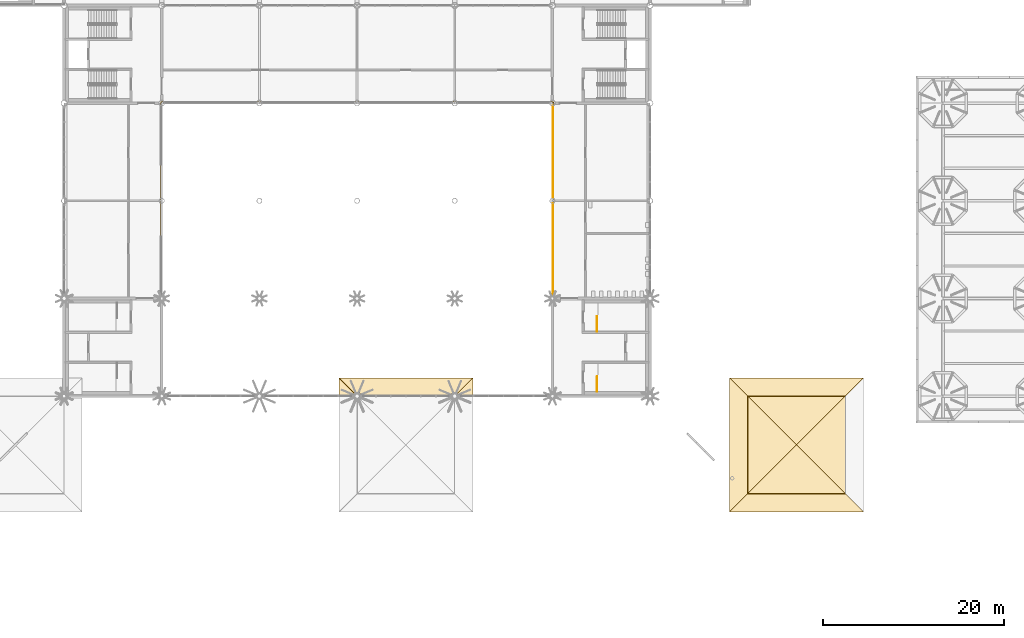
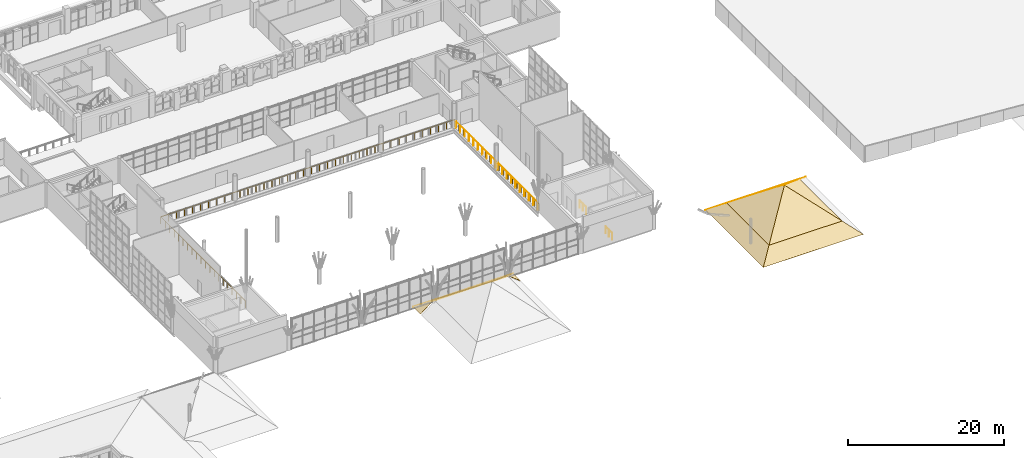
# One storey, part 86 of 95: 10 coverings, 5 railings.
"""IFC4 building model written with IfcOpenShell, lengths in metres."""

from ifc_helpers import new_model, si_unit, direction, frame, origin, origin_2d, place, context, subcontext, project, spatial, polyline, circle, outline, extrude, material, layer, layer_set, type_object, element, save


model = new_model("IFC4")

# Units and contexts
model_context = context("Model", 3, precision=1e-05, world=origin(), true_north=direction((0.0, 1.0)))
body_context = subcontext(model_context, "Body", "Model", "MODEL_VIEW")
ifc_project = project(units=[si_unit("LENGTHUNIT", "METRE"), si_unit("AREAUNIT", "SQUARE_METRE"), si_unit("VOLUMEUNIT", "CUBIC_METRE"), si_unit("PLANEANGLEUNIT", "RADIAN"), si_unit("MASSUNIT", "GRAM", prefix="KILO")], contexts=[model_context])

# Site, building, storey
site_placement = place(None, origin())
site = spatial("IfcSite", under=ifc_project, at=site_placement, CompositionType="ELEMENT")
building_placement = place(site_placement, origin())
building = spatial("IfcBuilding", under=site, at=building_placement, Name="Magnolia Steps Interchange", CompositionType="ELEMENT")
storey_placement = place(building_placement, frame((0.0, 0.0, 4.800048828125)))
storey = spatial("IfcBuildingStorey", under=building, at=storey_placement, Name="L01", CompositionType="ELEMENT", Elevation=4.800048828125)

# Coverings
ifc_material_1 = material(Name="Clay pantile")
ifc_layer = layer(ifc_material_1, 0.0400390625)
ifc_layer_set = layer_set([ifc_layer], Name="Clay pantile roofing")
covering_type = type_object("IfcCoveringType", Name="Clay pantile roofing", PredefinedType="ROOFING", material=ifc_layer_set)
covering_1_placement = place(storey_placement, frame((139.60009765625, 31.60009765625, 0.1689453125), z_axis=(0.615655794866, 0.0, 0.788015191635), x_axis=(0.0, 1.0, 0.0)))
element("IfcCovering", 1, at=covering_1_placement, inside=storey, type_object=covering_type, Name="Clay pantile roof BC3 1", PredefinedType="ROOFING", context=body_context, shape_type="SweptSolid", body=[
    extrude(outline(polyline([(0.0, 0.0), (10.799804688, 0.0), (5.399902344, 6.852845658), (0.0, 0.0)])), origin(), (0.0, 0.0, -1.0), 0.0400390625),
])
covering_2_placement = place(storey_placement, frame((128.800048828125, 42.39990234375, 0.1689453125), z_axis=(-0.6156730791, 0.0, 0.788001687607), x_axis=(0.0, -1.0, 0.0)))
element("IfcCovering", 2, at=covering_2_placement, inside=storey, type_object=covering_type, Name="Clay pantile roof BC3 2", PredefinedType="ROOFING", context=body_context, shape_type="SweptSolid", body=[
    extrude(outline(polyline([(0.0, 0.0), (10.799804688, 0.0), (5.399902344, 6.852653273), (0.0, 0.0)])), origin(), (0.0, 0.0, -1.0), 0.0400390625),
])
covering_3_placement = place(storey_placement, frame((128.800048828125, 31.60009765625, 0.1689453125), z_axis=(0.0, -0.6156730791, 0.788001687607), x_axis=(1.0, 0.0, 0.0)))
element("IfcCovering", 3, at=covering_3_placement, inside=storey, type_object=covering_type, Name="Clay pantile roof BC3 3", PredefinedType="ROOFING", context=body_context, shape_type="SweptSolid", body=[
    extrude(outline(polyline([(0.0, 0.0), (10.800048828, 0.0), (5.399902344, 6.852653273), (0.0, 0.0)])), origin(), (0.0, 0.0, -1.0), 0.0400390625),
])
covering_4_placement = place(storey_placement, frame((139.60009765625, 42.39990234375, 0.1689453125), z_axis=(0.0, 0.6156730791, 0.788001687607), x_axis=(-1.0, 0.0, 0.0)))
element("IfcCovering", 4, at=covering_4_placement, inside=storey, type_object=covering_type, Name="Clay pantile roof BC3 4", PredefinedType="ROOFING", context=body_context, shape_type="SweptSolid", body=[
    extrude(outline(polyline([(0.0, 0.0), (10.800048828, 0.0), (5.400146484, 6.852653273), (0.0, 0.0)])), origin(), (0.0, 0.0, -1.0), 0.0400390625),
])
covering_5_placement = place(storey_placement, frame((85.924072265625, 42.710693359375, -0.073974609375), z_axis=(-2.25403e-07, 0.615654321158, 0.788016343003), x_axis=(-0.724547453179, 0.543120399129, -0.424324427935)))
element("IfcCovering", 5, at=covering_5_placement, inside=storey, type_object=covering_type, Name="Clay pantile eave Pavilion roof slab BC2 2 1", PredefinedType="ROOFING", context=body_context, shape_type="SweptSolid", body=[
    extrude(outline(polyline([(0.0, 0.0), (0.026282569, 0.0), (0.473237511, 0.435537609), (3.161203804, 0.048652397), (-7.56195699, -10.151741781), (-7.814127768, -7.44780893), (-7.353409305, -7.018238821), (-7.358202455, -6.993009205), (-7.521648746, -6.820832123), (-0.167562853, 0.174733491), (0.0, 0.0)])), origin(), (0.0, 0.0, -1.0), 0.0400390625),
])
covering_6_placement = place(storey_placement, frame((85.281005859375, 42.718994140625, -0.08056640625), z_axis=(-0.615590018053, 0.000141462395, 0.788066564233), x_axis=(-0.029830824883, -0.999287478362, -0.02312266153)))
element("IfcCovering", 6, at=covering_6_placement, inside=storey, type_object=covering_type, Name="Clay pantile eave Pavilion roof slab BC2 3 1", PredefinedType="ROOFING", context=body_context, shape_type="SweptSolid", body=[
    extrude(outline(polyline([(0.0, 0.0), (0.199116522, 0.0), (0.279335498, -2.123900466), (-1.599207858, -2.194852423), (0.0, 0.0)])), origin(), (0.0, 0.0, -1.0), 0.0400390625),
])
covering_7_placement = place(storey_placement, frame((96.72509765625, 42.52001953125, -0.0849609375), z_axis=(0.615590018053, 0.000141462395, 0.788066564233), x_axis=(-0.029830824883, 0.999287478362, 0.02312266153)))
element("IfcCovering", 7, at=covering_7_placement, inside=storey, type_object=covering_type, Name="Clay pantile eave Pavilion roof slab BC2 4 2", PredefinedType="ROOFING", context=body_context, shape_type="SweptSolid", body=[
    extrude(outline(polyline([(0.0, 0.0), (0.199116522, 0.0), (1.79832438, -2.194852423), (-0.080218976, -2.123900466), (0.0, 0.0)])), origin(), (0.0, 0.0, -1.0), 0.0400390625),
])
covering_8_placement = place(storey_placement, frame((128.800048828125, 31.60009765625, 0.1689453125), z_axis=(-0.615644041972, 0.0, 0.788024373725), x_axis=(-0.618942776731, -0.618942776731, -0.483549044321)))
element("IfcCovering", 8, at=covering_8_placement, inside=storey, type_object=covering_type, Name="Clay pantile eave Pavilion roof slab BC3 2 1", PredefinedType="ROOFING", context=body_context, shape_type="SweptSolid", body=[
    extrude(outline(polyline([(0.0, 0.0), (3.231316489, 0.0), (-5.92891572, -11.62430061), (-6.684461101, -8.482556282), (0.0, 0.0)])), origin(), (0.0, 0.0, -1.0), 0.0400390625),
])
for number, where, z_axis, x_axis, name in (
    (9, (128.800048828125, 31.60009765625, 0.1689453125), (0.0, -0.615644041972, 0.788024373725), (1.0, 0.0, 0.0), "Clay pantile eave Pavilion roof slab BC3 3 1"),
    (10, (139.60009765625, 42.39990234375, 0.1689453125), (0.0, 0.615644041972, 0.788024373725), (-1.0, 0.0, 0.0), "Clay pantile eave Pavilion roof slab BC3 4 1"),
):
    element("IfcCovering", number, at=place(storey_placement, frame(where, z_axis=z_axis, x_axis=x_axis)), inside=storey, type_object=covering_type, Name=name, PredefinedType="ROOFING", context=body_context, shape_type="SweptSolid", body=[
        extrude(outline(polyline([(0.0, 0.0), (10.800048828, 0.0), (12.800048828, -2.537992563), (-2.0, -2.537992563), (0.0, 0.0)])), origin(), (0.0, 0.0, -1.0), 0.0400390625),
    ])

# Railings
ifc_material_2 = material(Name="Painted steel Q355B", Category="steel")
railing_type_1 = type_object("IfcRailingType", Name="Concourse void guard 1100", PredefinedType="GUARDRAIL", material=ifc_material_2)
railing_1_placement = place(storey_placement, frame((63.89990234375, 53.199951171875, 0.0)))
element("IfcRailing", 11, at=railing_1_placement, inside=storey, type_object=railing_type_1, Name="Concourse void guard", PredefinedType="GUARDRAIL", context=body_context, shape_type="SweptSolid", body=[
    extrude(circle(Radius=0.030029296875, at=origin_2d()), frame((0.0, 0.0, 1.070068359375), z_axis=(0.0, 1.0, 0.0), x_axis=(-1.0, 0.0, 0.0)), (0.0, 0.0, 1.0), 21.699951171875),
    extrude(circle(Radius=0.030029296875, at=origin_2d()), frame((0.0, 21.699951171875, 1.070068359375), z_axis=(1.0, 0.0, 0.0), x_axis=(0.0, 1.0, 0.0)), (0.0, 0.0, 1.0), 43.400146484375),
    extrude(circle(Radius=0.030029296875, at=origin_2d()), frame((43.400146484375, 21.699951171875, 1.070068359375), z_axis=(0.0, -1.0, 0.0), x_axis=(1.0, 0.0, 0.0)), (0.0, 0.0, 1.0), 21.699951171875),
    extrude(circle(Radius=0.02001953125, at=origin_2d()), origin(), (0.0, 0.0, 1.0), 1.0400390625),
    extrude(circle(Radius=0.02001953125, at=origin_2d()), frame((0.0, 1.14208984375, 0.0)), (0.0, 0.0, 1.0), 1.0400390625),
    extrude(circle(Radius=0.02001953125, at=origin_2d()), frame((0.0, 2.2841796875, 0.0)), (0.0, 0.0, 1.0), 1.0400390625),
    extrude(circle(Radius=0.02001953125, at=origin_2d()), frame((0.0, 3.42626953125, 0.0)), (0.0, 0.0, 1.0), 1.0400390625),
    extrude(circle(Radius=0.02001953125, at=origin_2d()), frame((0.0, 4.568359375, 0.0)), (0.0, 0.0, 1.0), 1.0400390625),
    extrude(circle(Radius=0.02001953125, at=origin_2d()), frame((0.0, 5.71044921875, 0.0)), (0.0, 0.0, 1.0), 1.0400390625),
    extrude(circle(Radius=0.02001953125, at=origin_2d()), frame((0.0, 6.8525390625, 0.0)), (0.0, 0.0, 1.0), 1.0400390625),
    extrude(circle(Radius=0.02001953125, at=origin_2d()), frame((0.0, 7.99462890625, 0.0)), (0.0, 0.0, 1.0), 1.0400390625),
    extrude(circle(Radius=0.02001953125, at=origin_2d()), frame((0.0, 9.13671875, 0.0)), (0.0, 0.0, 1.0), 1.0400390625),
    extrude(circle(Radius=0.02001953125, at=origin_2d()), frame((0.0, 10.27880859375, 0.0)), (0.0, 0.0, 1.0), 1.0400390625),
    extrude(circle(Radius=0.02001953125, at=origin_2d()), frame((0.0, 11.421142578125, 0.0)), (0.0, 0.0, 1.0), 1.0400390625),
    extrude(circle(Radius=0.02001953125, at=origin_2d()), frame((0.0, 12.563232421875, 0.0)), (0.0, 0.0, 1.0), 1.0400390625),
    extrude(circle(Radius=0.02001953125, at=origin_2d()), frame((0.0, 13.705322265625, 0.0)), (0.0, 0.0, 1.0), 1.0400390625),
    extrude(circle(Radius=0.02001953125, at=origin_2d()), frame((0.0, 14.847412109375, 0.0)), (0.0, 0.0, 1.0), 1.0400390625),
    extrude(circle(Radius=0.02001953125, at=origin_2d()), frame((0.0, 15.989501953125, 0.0)), (0.0, 0.0, 1.0), 1.0400390625),
    extrude(circle(Radius=0.02001953125, at=origin_2d()), frame((0.0, 17.131591796875, 0.0)), (0.0, 0.0, 1.0), 1.0400390625),
    extrude(circle(Radius=0.02001953125, at=origin_2d()), frame((0.0, 18.273681640625, 0.0)), (0.0, 0.0, 1.0), 1.0400390625),
    extrude(circle(Radius=0.02001953125, at=origin_2d()), frame((0.0, 19.415771484375, 0.0)), (0.0, 0.0, 1.0), 1.0400390625),
    extrude(circle(Radius=0.02001953125, at=origin_2d()), frame((0.0, 20.557861328125, 0.0)), (0.0, 0.0, 1.0), 1.0400390625),
    extrude(circle(Radius=0.02001953125, at=origin_2d()), frame((0.0, 21.699951171875, 0.0)), (0.0, 0.0, 1.0), 1.0400390625),
    extrude(circle(Radius=0.02001953125, at=origin_2d()), frame((1.173095703125, 21.699951171875, 0.0)), (0.0, 0.0, 1.0), 1.0400390625),
    extrude(circle(Radius=0.02001953125, at=origin_2d()), frame((2.345947265625, 21.699951171875, 0.0)), (0.0, 0.0, 1.0), 1.0400390625),
    extrude(circle(Radius=0.02001953125, at=origin_2d()), frame((3.51904296875, 21.699951171875, 0.0)), (0.0, 0.0, 1.0), 1.0400390625),
    extrude(circle(Radius=0.02001953125, at=origin_2d()), frame((4.69189453125, 21.699951171875, 0.0)), (0.0, 0.0, 1.0), 1.0400390625),
    extrude(circle(Radius=0.02001953125, at=origin_2d()), frame((5.864990234375, 21.699951171875, 0.0)), (0.0, 0.0, 1.0), 1.0400390625),
    extrude(circle(Radius=0.02001953125, at=origin_2d()), frame((7.037841796875, 21.699951171875, 0.0)), (0.0, 0.0, 1.0), 1.0400390625),
    extrude(circle(Radius=0.02001953125, at=origin_2d()), frame((8.2109375, 21.699951171875, 0.0)), (0.0, 0.0, 1.0), 1.0400390625),
    extrude(circle(Radius=0.02001953125, at=origin_2d()), frame((9.3837890625, 21.699951171875, 0.0)), (0.0, 0.0, 1.0), 1.0400390625),
    extrude(circle(Radius=0.02001953125, at=origin_2d()), frame((10.556884765625, 21.699951171875, 0.0)), (0.0, 0.0, 1.0), 1.0400390625),
    extrude(circle(Radius=0.02001953125, at=origin_2d()), frame((11.729736328125, 21.699951171875, 0.0)), (0.0, 0.0, 1.0), 1.0400390625),
    extrude(circle(Radius=0.02001953125, at=origin_2d()), frame((12.90283203125, 21.699951171875, 0.0)), (0.0, 0.0, 1.0), 1.0400390625),
    extrude(circle(Radius=0.02001953125, at=origin_2d()), frame((14.07568359375, 21.699951171875, 0.0)), (0.0, 0.0, 1.0), 1.0400390625),
    extrude(circle(Radius=0.02001953125, at=origin_2d()), frame((15.248779296875, 21.699951171875, 0.0)), (0.0, 0.0, 1.0), 1.0400390625),
    extrude(circle(Radius=0.02001953125, at=origin_2d()), frame((16.421630859375, 21.699951171875, 0.0)), (0.0, 0.0, 1.0), 1.0400390625),
    extrude(circle(Radius=0.02001953125, at=origin_2d()), frame((17.5947265625, 21.699951171875, 0.0)), (0.0, 0.0, 1.0), 1.0400390625),
    extrude(circle(Radius=0.02001953125, at=origin_2d()), frame((18.767578125, 21.699951171875, 0.0)), (0.0, 0.0, 1.0), 1.0400390625),
    extrude(circle(Radius=0.02001953125, at=origin_2d()), frame((19.940673828125, 21.699951171875, 0.0)), (0.0, 0.0, 1.0), 1.0400390625),
    extrude(circle(Radius=0.02001953125, at=origin_2d()), frame((21.113525390625, 21.699951171875, 0.0)), (0.0, 0.0, 1.0), 1.0400390625),
    extrude(circle(Radius=0.02001953125, at=origin_2d()), frame((22.28662109375, 21.699951171875, 0.0)), (0.0, 0.0, 1.0), 1.0400390625),
    extrude(circle(Radius=0.02001953125, at=origin_2d()), frame((23.45947265625, 21.699951171875, 0.0)), (0.0, 0.0, 1.0), 1.0400390625),
    extrude(circle(Radius=0.02001953125, at=origin_2d()), frame((24.632568359375, 21.699951171875, 0.0)), (0.0, 0.0, 1.0), 1.0400390625),
    extrude(circle(Radius=0.02001953125, at=origin_2d()), frame((25.805419921875, 21.699951171875, 0.0)), (0.0, 0.0, 1.0), 1.0400390625),
    extrude(circle(Radius=0.02001953125, at=origin_2d()), frame((26.978515625, 21.699951171875, 0.0)), (0.0, 0.0, 1.0), 1.0400390625),
    extrude(circle(Radius=0.02001953125, at=origin_2d()), frame((28.1513671875, 21.699951171875, 0.0)), (0.0, 0.0, 1.0), 1.0400390625),
    extrude(circle(Radius=0.02001953125, at=origin_2d()), frame((29.324462890625, 21.699951171875, 0.0)), (0.0, 0.0, 1.0), 1.0400390625),
    extrude(circle(Radius=0.02001953125, at=origin_2d()), frame((30.497314453125, 21.699951171875, 0.0)), (0.0, 0.0, 1.0), 1.0400390625),
    extrude(circle(Radius=0.02001953125, at=origin_2d()), frame((31.67041015625, 21.699951171875, 0.0)), (0.0, 0.0, 1.0), 1.0400390625),
    extrude(circle(Radius=0.02001953125, at=origin_2d()), frame((32.84326171875, 21.699951171875, 0.0)), (0.0, 0.0, 1.0), 1.0400390625),
    extrude(circle(Radius=0.02001953125, at=origin_2d()), frame((34.016357421875, 21.699951171875, 0.0)), (0.0, 0.0, 1.0), 1.0400390625),
    extrude(circle(Radius=0.02001953125, at=origin_2d()), frame((35.189208984375, 21.699951171875, 0.0)), (0.0, 0.0, 1.0), 1.0400390625),
    extrude(circle(Radius=0.02001953125, at=origin_2d()), frame((36.3623046875, 21.699951171875, 0.0)), (0.0, 0.0, 1.0), 1.0400390625),
    extrude(circle(Radius=0.02001953125, at=origin_2d()), frame((37.53515625, 21.699951171875, 0.0)), (0.0, 0.0, 1.0), 1.0400390625),
    extrude(circle(Radius=0.02001953125, at=origin_2d()), frame((38.708251953125, 21.699951171875, 0.0)), (0.0, 0.0, 1.0), 1.0400390625),
    extrude(circle(Radius=0.02001953125, at=origin_2d()), frame((39.881103515625, 21.699951171875, 0.0)), (0.0, 0.0, 1.0), 1.0400390625),
    extrude(circle(Radius=0.02001953125, at=origin_2d()), frame((41.05419921875, 21.699951171875, 0.0)), (0.0, 0.0, 1.0), 1.0400390625),
    extrude(circle(Radius=0.02001953125, at=origin_2d()), frame((42.22705078125, 21.699951171875, 0.0)), (0.0, 0.0, 1.0), 1.0400390625),
    extrude(circle(Radius=0.02001953125, at=origin_2d()), frame((43.400146484375, 21.699951171875, 0.0)), (0.0, 0.0, 1.0), 1.0400390625),
    extrude(circle(Radius=0.02001953125, at=origin_2d()), frame((43.400146484375, 20.557861328125, 0.0)), (0.0, 0.0, 1.0), 1.0400390625),
    extrude(circle(Radius=0.02001953125, at=origin_2d()), frame((43.400146484375, 19.415771484375, 0.0)), (0.0, 0.0, 1.0), 1.0400390625),
    extrude(circle(Radius=0.02001953125, at=origin_2d()), frame((43.400146484375, 18.273681640625, 0.0)), (0.0, 0.0, 1.0), 1.0400390625),
    extrude(circle(Radius=0.02001953125, at=origin_2d()), frame((43.400146484375, 17.131591796875, 0.0)), (0.0, 0.0, 1.0), 1.0400390625),
    extrude(circle(Radius=0.02001953125, at=origin_2d()), frame((43.400146484375, 15.989501953125, 0.0)), (0.0, 0.0, 1.0), 1.0400390625),
    extrude(circle(Radius=0.02001953125, at=origin_2d()), frame((43.400146484375, 14.847412109375, 0.0)), (0.0, 0.0, 1.0), 1.0400390625),
    extrude(circle(Radius=0.02001953125, at=origin_2d()), frame((43.400146484375, 13.705322265625, 0.0)), (0.0, 0.0, 1.0), 1.0400390625),
    extrude(circle(Radius=0.02001953125, at=origin_2d()), frame((43.400146484375, 12.563232421875, 0.0)), (0.0, 0.0, 1.0), 1.0400390625),
    extrude(circle(Radius=0.02001953125, at=origin_2d()), frame((43.400146484375, 11.421142578125, 0.0)), (0.0, 0.0, 1.0), 1.0400390625),
    extrude(circle(Radius=0.02001953125, at=origin_2d()), frame((43.400146484375, 10.27880859375, 0.0)), (0.0, 0.0, 1.0), 1.0400390625),
    extrude(circle(Radius=0.02001953125, at=origin_2d()), frame((43.400146484375, 9.13671875, 0.0)), (0.0, 0.0, 1.0), 1.0400390625),
    extrude(circle(Radius=0.02001953125, at=origin_2d()), frame((43.400146484375, 7.99462890625, 0.0)), (0.0, 0.0, 1.0), 1.0400390625),
    extrude(circle(Radius=0.02001953125, at=origin_2d()), frame((43.400146484375, 6.8525390625, 0.0)), (0.0, 0.0, 1.0), 1.0400390625),
    extrude(circle(Radius=0.02001953125, at=origin_2d()), frame((43.400146484375, 5.71044921875, 0.0)), (0.0, 0.0, 1.0), 1.0400390625),
    extrude(circle(Radius=0.02001953125, at=origin_2d()), frame((43.400146484375, 4.568359375, 0.0)), (0.0, 0.0, 1.0), 1.0400390625),
    extrude(circle(Radius=0.02001953125, at=origin_2d()), frame((43.400146484375, 3.42626953125, 0.0)), (0.0, 0.0, 1.0), 1.0400390625),
    extrude(circle(Radius=0.02001953125, at=origin_2d()), frame((43.400146484375, 2.2841796875, 0.0)), (0.0, 0.0, 1.0), 1.0400390625),
    extrude(circle(Radius=0.02001953125, at=origin_2d()), frame((43.400146484375, 1.14208984375, 0.0)), (0.0, 0.0, 1.0), 1.0400390625),
    extrude(circle(Radius=0.02001953125, at=origin_2d()), frame((43.400146484375, 0.0, 0.0)), (0.0, 0.0, 1.0), 1.0400390625),
])
ifc_material_3 = material(Name="Stainless steel grade 304", Category="steel")
railing_type_2 = type_object("IfcRailingType", Name="Stair guard 1100", PredefinedType="GUARDRAIL", material=ifc_material_3)
railing_2_placement = place(storey_placement, frame((112.14990234375, 49.550048828125, 0.0)))
element("IfcRailing", 12, at=railing_2_placement, inside=storey, type_object=railing_type_2, Name="L01 ST7 top well guard 1", PredefinedType="GUARDRAIL", context=body_context, shape_type="SweptSolid", body=[
    extrude(circle(Radius=0.02392578125, at=origin_2d()), frame((0.0, 0.0, 1.076171875), z_axis=(0.0, 1.0, 0.0), x_axis=(-1.0, 0.0, 0.0)), (0.0, 0.0, 1.0), 1.64990234375),
    extrude(circle(Radius=0.02099609375, at=origin_2d()), origin(), (0.0, 0.0, 1.0), 1.052001953125),
    extrude(circle(Radius=0.02099609375, at=origin_2d()), frame((0.0, 0.824951171875, 0.0)), (0.0, 0.0, 1.0), 1.052001953125),
    extrude(circle(Radius=0.02099609375, at=origin_2d()), frame((0.0, 1.64990234375, 0.0)), (0.0, 0.0, 1.0), 1.052001953125),
])
railing_3_placement = place(storey_placement, frame((112.14990234375, 42.89990234375, 0.0)))
element("IfcRailing", 13, at=railing_3_placement, inside=storey, type_object=railing_type_2, Name="L01 ST8 top well guard 1", PredefinedType="GUARDRAIL", context=body_context, shape_type="SweptSolid", body=[
    extrude(circle(Radius=0.02392578125, at=origin_2d()), frame((0.0, 0.0, 1.076171875), z_axis=(0.0, 1.0, 0.0), x_axis=(-1.0, 0.0, 0.0)), (0.0, 0.0, 1.0), 1.650146484375),
    extrude(circle(Radius=0.02099609375, at=origin_2d()), origin(), (0.0, 0.0, 1.0), 1.052001953125),
    extrude(circle(Radius=0.02099609375, at=origin_2d()), frame((0.0, 0.8251953125, 0.0)), (0.0, 0.0, 1.0), 1.052001953125),
    extrude(circle(Radius=0.02099609375, at=origin_2d()), frame((0.0, 1.650146484375, 0.0)), (0.0, 0.0, 1.0), 1.052001953125),
])
ifc_material_4 = material(Name="Stainless steel grade 304", Category="steel")
railing_type_3 = type_object("IfcRailingType", Name="Void edge guard 1100", PredefinedType="GUARDRAIL", material=ifc_material_4)
railing_4_placement = place(storey_placement, frame((107.27001953125, 74.48291015625, 0.0)))
element("IfcRailing", 14, at=railing_4_placement, inside=storey, type_object=railing_type_3, Name="L01 void edge guard HV 7", PredefinedType="GUARDRAIL", context=body_context, shape_type="SweptSolid", body=[
    extrude(circle(Radius=0.02392578125, at=origin_2d()), frame((0.0, 0.0, 1.076171875), z_axis=(0.0, -1.0, 0.0), x_axis=(1.0, 0.0, 0.0)), (0.0, 0.0, 1.0), 10.192138671875),
    extrude(circle(Radius=0.02099609375, at=origin_2d()), origin(), (0.0, 0.0, 1.0), 1.052001953125),
    extrude(circle(Radius=0.02099609375, at=origin_2d()), frame((0.0, -1.132568359375, 0.0)), (0.0, 0.0, 1.0), 1.052001953125),
    extrude(circle(Radius=0.02099609375, at=origin_2d()), frame((0.0, -2.264892578125, 0.0)), (0.0, 0.0, 1.0), 1.052001953125),
    extrude(circle(Radius=0.02099609375, at=origin_2d()), frame((0.0, -3.3974609375, 0.0)), (0.0, 0.0, 1.0), 1.052001953125),
    extrude(circle(Radius=0.02099609375, at=origin_2d()), frame((0.0, -4.52978515625, 0.0)), (0.0, 0.0, 1.0), 1.052001953125),
    extrude(circle(Radius=0.02099609375, at=origin_2d()), frame((0.0, -5.662353515625, 0.0)), (0.0, 0.0, 1.0), 1.052001953125),
    extrude(circle(Radius=0.02099609375, at=origin_2d()), frame((0.0, -6.794677734375, 0.0)), (0.0, 0.0, 1.0), 1.052001953125),
    extrude(circle(Radius=0.02099609375, at=origin_2d()), frame((0.0, -7.92724609375, 0.0)), (0.0, 0.0, 1.0), 1.052001953125),
    extrude(circle(Radius=0.02099609375, at=origin_2d()), frame((0.0, -9.0595703125, 0.0)), (0.0, 0.0, 1.0), 1.052001953125),
    extrude(circle(Radius=0.02099609375, at=origin_2d()), frame((0.0, -10.192138671875, 0.0)), (0.0, 0.0, 1.0), 1.052001953125),
])
railing_5_placement = place(storey_placement, frame((107.27001953125, 63.709228515625, 0.0)))
element("IfcRailing", 15, at=railing_5_placement, inside=storey, type_object=railing_type_3, Name="L01 void edge guard HV 8", PredefinedType="GUARDRAIL", context=body_context, shape_type="SweptSolid", body=[
    extrude(circle(Radius=0.02392578125, at=origin_2d()), frame((0.0, 0.0, 1.076171875), z_axis=(0.0, -1.0, 0.0), x_axis=(1.0, 0.0, 0.0)), (0.0, 0.0, 1.0), 10.21826171875),
    extrude(circle(Radius=0.02099609375, at=origin_2d()), origin(), (0.0, 0.0, 1.0), 1.052001953125),
    extrude(circle(Radius=0.02099609375, at=origin_2d()), frame((0.0, -1.13525390625, 0.0)), (0.0, 0.0, 1.0), 1.052001953125),
    extrude(circle(Radius=0.02099609375, at=origin_2d()), frame((0.0, -2.270751953125, 0.0)), (0.0, 0.0, 1.0), 1.052001953125),
    extrude(circle(Radius=0.02099609375, at=origin_2d()), frame((0.0, -3.406005859375, 0.0)), (0.0, 0.0, 1.0), 1.052001953125),
    extrude(circle(Radius=0.02099609375, at=origin_2d()), frame((0.0, -4.54150390625, 0.0)), (0.0, 0.0, 1.0), 1.052001953125),
    extrude(circle(Radius=0.02099609375, at=origin_2d()), frame((0.0, -5.6767578125, 0.0)), (0.0, 0.0, 1.0), 1.052001953125),
    extrude(circle(Radius=0.02099609375, at=origin_2d()), frame((0.0, -6.812255859375, 0.0)), (0.0, 0.0, 1.0), 1.052001953125),
    extrude(circle(Radius=0.02099609375, at=origin_2d()), frame((0.0, -7.947509765625, 0.0)), (0.0, 0.0, 1.0), 1.052001953125),
    extrude(circle(Radius=0.02099609375, at=origin_2d()), frame((0.0, -9.0830078125, 0.0)), (0.0, 0.0, 1.0), 1.052001953125),
    extrude(circle(Radius=0.02099609375, at=origin_2d()), frame((0.0, -10.21826171875, 0.0)), (0.0, 0.0, 1.0), 1.052001953125),
])

save(model, "model.ifc")
